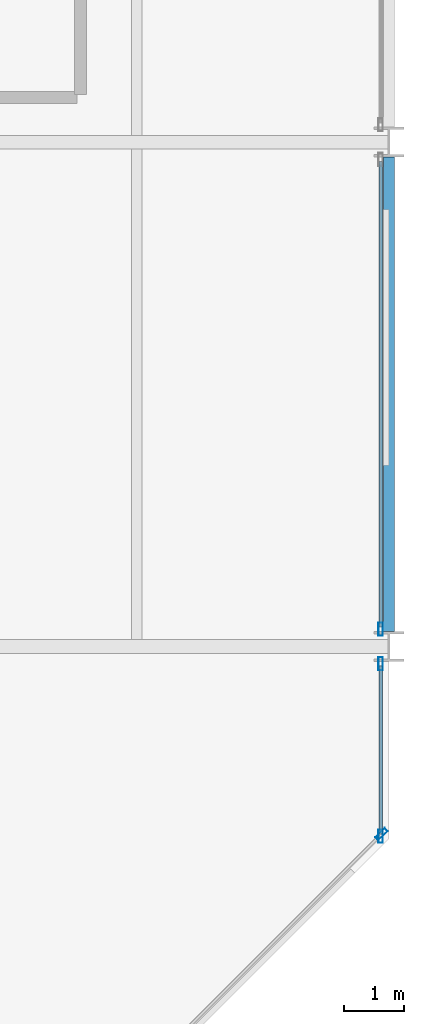
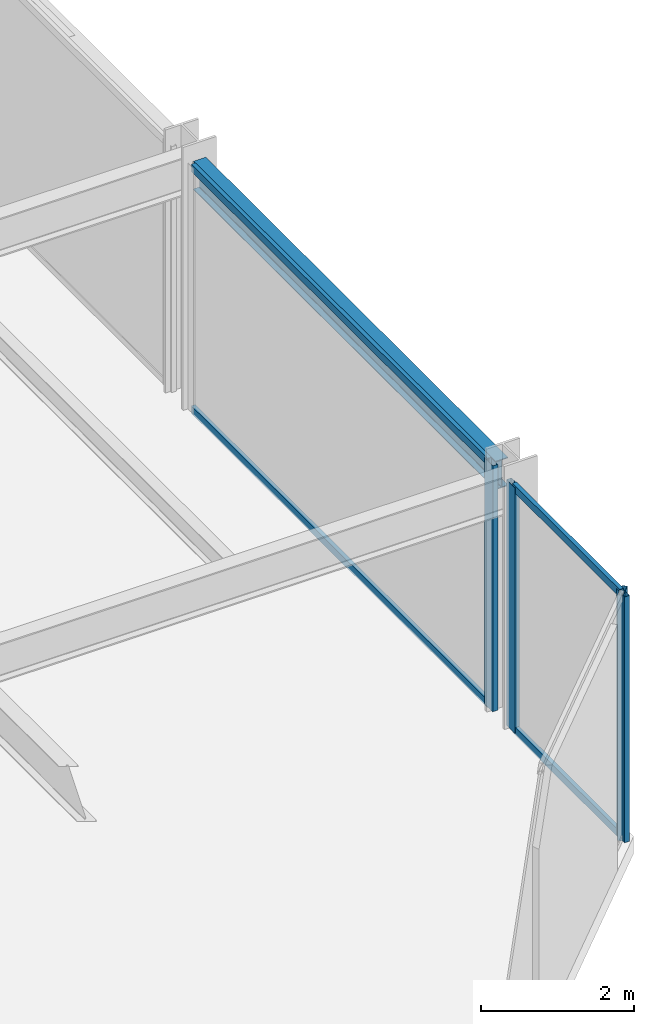
# One storey, part 11 of 24: 8 members, 1 beam, 3 elements without a shape of their own.
"""IFC4 building model written with IfcOpenShell, lengths in metres."""

from ifc_helpers import new_model, si_unit, direction, frame, origin, origin_2d, place, context, subcontext, project, spatial, hollow_rectangle, i_section, extrude, material, layer, layer_set, material_profile, profile_set, type_object, element, aggregate, save


model = new_model("IFC4")

# Units and contexts
model_context = context("Model", 3, precision=1e-05, world=origin(), true_north=direction((0.0, 1.0)))
body_context = subcontext(model_context, "Body", "Model", "MODEL_VIEW")
ifc_project = project(units=[si_unit("LENGTHUNIT", "METRE"), si_unit("AREAUNIT", "SQUARE_METRE"), si_unit("VOLUMEUNIT", "CUBIC_METRE"), si_unit("PLANEANGLEUNIT", "RADIAN"), si_unit("MASSUNIT", "GRAM", prefix="KILO")], contexts=[model_context])

# Site, building, storey
site_placement = place(None, origin())
site = spatial("IfcSite", under=ifc_project, at=site_placement, CompositionType="ELEMENT")
building_placement = place(site_placement, origin())
building = spatial("IfcBuilding", under=site, at=building_placement, Name="Nerrivon Quay Data Exchange", CompositionType="ELEMENT")
storey_placement = place(building_placement, frame((0.0, 0.0, 33.199951171875)))
storey = spatial("IfcBuildingStorey", under=building, at=storey_placement, Name="L07", CompositionType="ELEMENT", Elevation=33.199951171875)

# Beam
ifc_material_1 = material(Name="Steel Grade 350", Category="steel")
ifc_material_profile_1 = material_profile(ifc_material_1, i_section(OverallWidth=0.18994140625, OverallDepth=0.4541015625, WebThickness=0.008544921875, FlangeThickness=0.0126953125, FilletRadius=0.011474609375, at=origin_2d()), Name="460UB67.1")
ifc_profile_set_1 = profile_set([ifc_material_profile_1], Name="Steel Grade 350")
beam_type = type_object("IfcBeamType", Name="BM-SP1-460UB67", PredefinedType="SPANDREL", material=ifc_profile_set_1)
beam_placement = place(storey_placement, frame((50.39990234375, 8.64990234375, 3.697998046875), z_axis=(0.0, 1.0, 0.0), x_axis=(-1.0, 0.0, 0.0)))
element("IfcBeam", 1, at=beam_placement, inside=storey, type_object=beam_type, Name="L07 NS Girder X=50.4 (8.4..16.8)", PredefinedType="SPANDREL", context=body_context, shape_type="SweptSolid", body=[
    extrude(i_section(OverallWidth=0.18994140625, OverallDepth=0.4541015625, WebThickness=0.008544921875, FlangeThickness=0.0126953125, FilletRadius=0.011474609375, at=origin_2d()), origin(), (0.0, 0.0, 1.0), 7.900146484375),
])

# Curtain wall, member
ifc_material_2 = material(Name="Anodised aluminium 6063-T6", Category="aluminium")
ifc_layer = layer(ifc_material_2, 0.219970703125)
ifc_layer_set = layer_set([ifc_layer], Name="Anodised aluminium 6063-T6")
curtain_wall_type = type_object("IfcCurtainWallType", Name="CW-SYS-01", PredefinedType="NOTDEFINED", material=ifc_layer_set)
curtain_wall_1_placement = place(storey_placement, origin())
curtain_wall_1 = element("IfcCurtainWall", 2, at=curtain_wall_1_placement, inside=storey, type_object=curtain_wall_type, Name="L07 Unitised Curtain Wall 1", PredefinedType="NOTDEFINED")
ifc_material_profile_2 = material_profile(ifc_material_2, hollow_rectangle(XDim=0.074951171875, YDim=0.219970703125, WallThickness=0.00390625, at=origin_2d()), Name="ALU-MULL-220x75")
ifc_profile_set_2 = profile_set([ifc_material_profile_2], Name="Anodised aluminium 6063-T6")
member_type_1 = type_object("IfcMemberType", Name="CWM-220x75", PredefinedType="MULLION", material=ifc_profile_set_2)
member_1_placement = place(storey_placement, frame((50.2744140625, 5.2724609375, 0.0), z_axis=(0.0, 0.0, 1.0), x_axis=(0.707106781187, -0.707106781187, 0.0)))
member_1 = element("IfcMember", 3, at=member_1_placement, type_object=member_type_1, Name="CW01 mullion 1", PredefinedType="MULLION", context=body_context, shape_type="SweptSolid", body=[
    extrude(hollow_rectangle(XDim=0.074951171875, YDim=0.219970703125, WallThickness=0.00390625, at=origin_2d()), origin(), (0.0, 0.0, 1.0), 3.925048828125),
])
aggregate(curtain_wall_1, [member_1])

curtain_wall_2_placement = place(storey_placement, origin())
curtain_wall_2 = element("IfcCurtainWall", 4, at=curtain_wall_2_placement, inside=storey, type_object=curtain_wall_type, Name="L07 Unitised Curtain Wall 32", PredefinedType="NOTDEFINED")
member_2_placement = place(storey_placement, frame((50.260009765625, 8.6875, 0.0), z_axis=(0.0, 0.0, 1.0), x_axis=(1.0, 0.0, 0.0)))
member_2 = element("IfcMember", 5, at=member_2_placement, type_object=member_type_1, Name="CW01 mullion 2", PredefinedType="MULLION", context=body_context, shape_type="SweptSolid", body=[
    extrude(hollow_rectangle(XDim=0.074951171875, YDim=0.219970703125, WallThickness=0.00390625, at=origin_2d()), origin(), (0.0, 0.0, 1.0), 3.925048828125),
])

# Curtain wall, members
curtain_wall_3_placement = place(storey_placement, origin())
curtain_wall_3 = element("IfcCurtainWall", 6, at=curtain_wall_3_placement, inside=storey, type_object=curtain_wall_type, Name="L07 Unitised Curtain Wall 33", PredefinedType="NOTDEFINED")
member_3_placement = place(storey_placement, frame((50.260009765625, 8.112548828125, 0.0), z_axis=(0.0, 0.0, 1.0), x_axis=(1.0, 0.0, 0.0)))
member_3 = element("IfcMember", 7, at=member_3_placement, type_object=member_type_1, Name="CW01 mullion 1", PredefinedType="MULLION", context=body_context, shape_type="SweptSolid", body=[
    extrude(hollow_rectangle(XDim=0.074951171875, YDim=0.219970703125, WallThickness=0.00390625, at=origin_2d()), origin(), (0.0, 0.0, 1.0), 3.925048828125),
])
member_4_placement = place(storey_placement, frame((50.260009765625, 5.237548828125, 0.0), z_axis=(0.0, 0.0, 1.0), x_axis=(1.0, 0.0, 0.0)))
member_4 = element("IfcMember", 8, at=member_4_placement, type_object=member_type_1, Name="CW01 mullion 2", PredefinedType="MULLION", context=body_context, shape_type="SweptSolid", body=[
    extrude(hollow_rectangle(XDim=0.074951171875, YDim=0.219970703125, WallThickness=0.00390625, at=origin_2d()), origin(), (0.0, 0.0, 1.0), 3.925048828125),
])

# Member
ifc_material_profile_3 = material_profile(ifc_material_2, hollow_rectangle(XDim=0.06005859375, YDim=0.1201171875, WallThickness=0.003173828125, at=origin_2d()), Name="ALU-TRAN-120x60")
ifc_profile_set_3 = profile_set([ifc_material_profile_3], Name="Anodised aluminium 6063-T6")
member_type_2 = type_object("IfcMemberType", Name="CWT-120x60", PredefinedType="USERDEFINED", material=ifc_profile_set_3)
member_5_placement = place(storey_placement, frame((50.260009765625, 16.47509765625, 0.032470703125), z_axis=(0.0, -1.0, 0.0), x_axis=(1.0, 0.0, 0.0)))
member_5 = element("IfcMember", 9, at=member_5_placement, type_object=member_type_2, Name="CW01 transom 1.1", ObjectType="TRANSOM", PredefinedType="USERDEFINED", context=body_context, shape_type="SweptSolid", body=[
    extrude(hollow_rectangle(XDim=0.06005859375, YDim=0.1201171875, WallThickness=0.003173828125, at=origin_2d()), origin(), (0.0, 0.0, 1.0), 7.75),
])

member_6_placement = place(storey_placement, frame((50.260009765625, 16.47509765625, 3.892578125), z_axis=(0.0, -1.0, 0.0), x_axis=(1.0, 0.0, 0.0)))
member_6 = element("IfcMember", 10, at=member_6_placement, type_object=member_type_2, Name="CW01 transom 1.2", ObjectType="TRANSOM", PredefinedType="USERDEFINED", context=body_context, shape_type="SweptSolid", body=[
    extrude(hollow_rectangle(XDim=0.06005859375, YDim=0.1201171875, WallThickness=0.003173828125, at=origin_2d()), origin(), (0.0, 0.0, 1.0), 7.75),
])

aggregate(curtain_wall_2, [member_2, member_5, member_6])

member_7_placement = place(storey_placement, frame((50.260009765625, 8.074951171875, 0.032470703125), z_axis=(0.0, -1.0, 0.0), x_axis=(1.0, 0.0, 0.0)))
member_7 = element("IfcMember", 11, at=member_7_placement, type_object=member_type_2, Name="CW01 transom 1.1", ObjectType="TRANSOM", PredefinedType="USERDEFINED", context=body_context, shape_type="SweptSolid", body=[
    extrude(hollow_rectangle(XDim=0.06005859375, YDim=0.1201171875, WallThickness=0.003173828125, at=origin_2d()), origin(), (0.0, 0.0, 1.0), 2.800048828125),
])

member_8_placement = place(storey_placement, frame((50.260009765625, 8.074951171875, 3.892578125), z_axis=(0.0, -1.0, 0.0), x_axis=(1.0, 0.0, 0.0)))
member_8 = element("IfcMember", 12, at=member_8_placement, type_object=member_type_2, Name="CW01 transom 1.2", ObjectType="TRANSOM", PredefinedType="USERDEFINED", context=body_context, shape_type="SweptSolid", body=[
    extrude(hollow_rectangle(XDim=0.06005859375, YDim=0.1201171875, WallThickness=0.003173828125, at=origin_2d()), origin(), (0.0, 0.0, 1.0), 2.800048828125),
])

aggregate(curtain_wall_3, [member_3, member_4, member_7, member_8])

save(model, "model.ifc")
